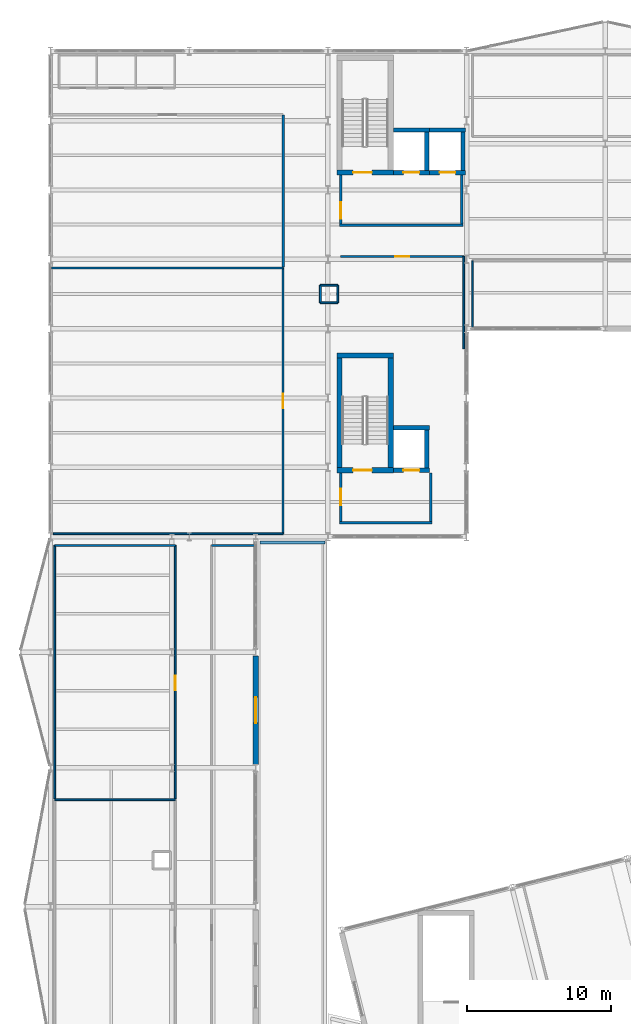
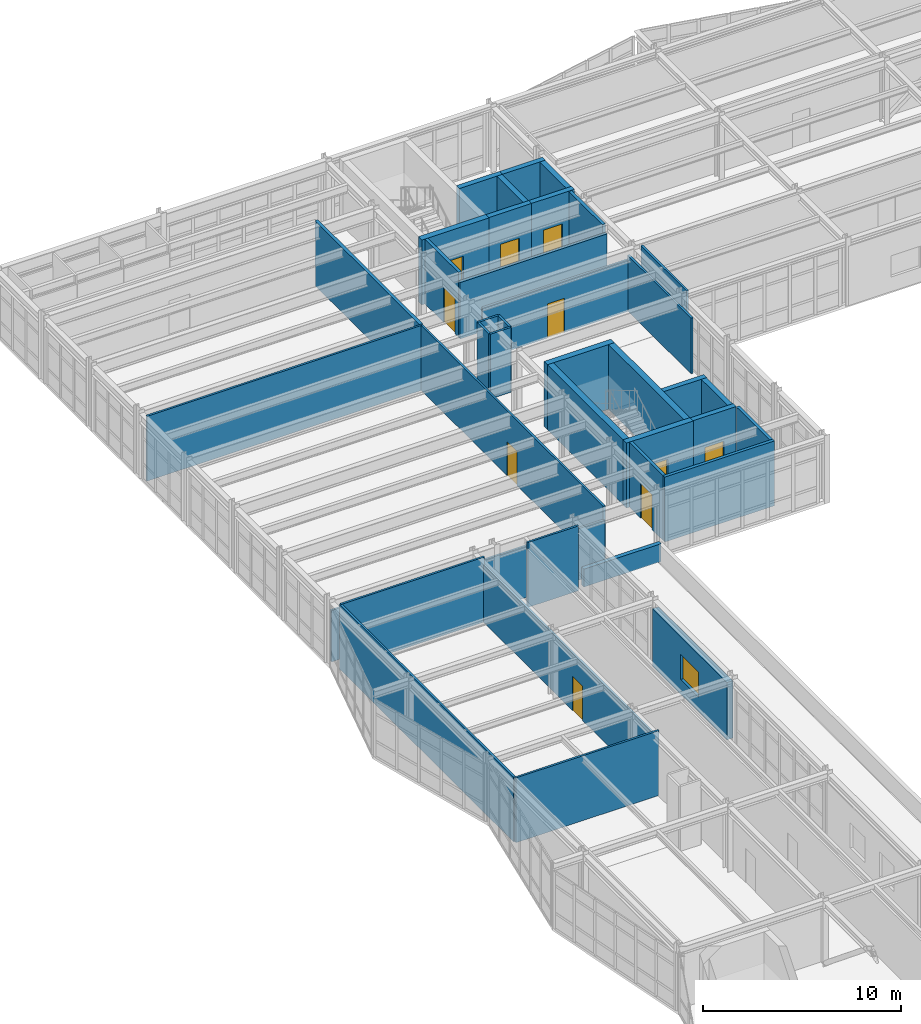
# One storey, part 56 of 64: 38 walls, 10 doors, 1 window, 11 openings.
"""IFC4 building model written with IfcOpenShell, lengths in metres."""

import ifcopenshell
import ifcopenshell.guid

model = None  # the IFC model being written
_history = None  # IfcOwnerHistory: only IFC2X3 demands one
_inside = {}  # id of a spatial element -> (the spatial element, [elements in it])
_under = {}  # id of a project, library or spatial element -> (it, [spatial elements below it])
_declared = {}  # id of a project -> (the project, [libraries it declares])
_typed = {}  # id of a type object -> (the type object, [elements of that type])
_made_of = {}  # id of a material, layer set ... -> (it, [elements and type objects made of it])


def new_model(schema):
    """Start an empty IFC model of exactly this schema.

    Asked for "IFC4X3", IfcOpenShell would pick the latest addendum, in which some entities
    have other attributes; the version numbers below select the first issue.
    IFC2X3 requires an IfcOwnerHistory on every rooted entity: one is made here for all.
    """
    global model, _history
    if schema == "IFC4X3":
        model = ifcopenshell.file(schema_version=(4, 3, 0, 0))
    else:
        model = ifcopenshell.file(schema=schema)
    _inside.clear()
    _under.clear()
    _declared.clear()
    _typed.clear()
    _made_of.clear()
    _history = None
    if model.schema == "IFC2X3":
        org = make("IfcOrganization", Name="unknown")
        user = make(
            "IfcPersonAndOrganization",
            ThePerson=make("IfcPerson", FamilyName="unknown"),
            TheOrganization=org,
        )
        app = make(
            "IfcApplication",
            ApplicationDeveloper=org,
            Version="unknown",
            ApplicationFullName="unknown",
            ApplicationIdentifier="unknown",
        )
        _history = make(
            "IfcOwnerHistory",
            OwningUser=user,
            OwningApplication=app,
            ChangeAction="ADDED",
            CreationDate=0,
        )
    return model


def make(cls, **values):
    """One entity of the class cls with the attributes given. An attribute that is None is left unset."""
    return model.create_entity(
        cls, **{name: value for name, value in values.items() if value is not None}
    )


def rooted(cls, **values):
    """An entity with a GlobalId (a new one), such as an element, a storey or a relation."""
    return make(cls, GlobalId=ifcopenshell.guid.new(), OwnerHistory=_history, **values)


def si_unit(unit_type, name, prefix=None):
    """IfcSIUnit, for example si_unit("LENGTHUNIT", "METRE", prefix="MILLI")."""
    return make("IfcSIUnit", UnitType=unit_type, Prefix=prefix, Name=name)


def assignment(units):
    """IfcUnitAssignment: the units of a project."""
    return None if units is None else make("IfcUnitAssignment", Units=units)


def point(xyz):
    """IfcCartesianPoint."""
    return None if xyz is None else make("IfcCartesianPoint", Coordinates=xyz)


def direction(xyz):
    """IfcDirection."""
    return None if xyz is None else make("IfcDirection", DirectionRatios=xyz)


def frame(location, z_axis=None, x_axis=None):
    """IfcAxis2Placement3D, a coordinate frame: its origin and axes. An axis left out is left unset."""
    return make(
        "IfcAxis2Placement3D",
        Location=point(location),
        Axis=direction(z_axis),
        RefDirection=direction(x_axis),
    )


def frame_2d(location, x_axis=None):
    """IfcAxis2Placement2D, a coordinate frame in the plane: its origin and x axis."""
    return make(
        "IfcAxis2Placement2D", Location=point(location), RefDirection=direction(x_axis)
    )


def origin():
    """The frame at (0, 0, 0) with its axes left unset."""
    return frame((0.0, 0.0, 0.0))


def place(relative_to, where):
    """IfcLocalPlacement: puts the frame where relative to a parent placement (None: the world)."""
    return make(
        "IfcLocalPlacement", PlacementRelTo=relative_to, RelativePlacement=where
    )


def context(
    kind, dimensions, precision=None, world=None, true_north=None, identifier=None
):
    """IfcGeometricRepresentationContext, for example the 3D "Model" context."""
    return make(
        "IfcGeometricRepresentationContext",
        ContextIdentifier=identifier,
        ContextType=kind,
        CoordinateSpaceDimension=dimensions,
        Precision=precision,
        WorldCoordinateSystem=world,
        TrueNorth=true_north,
    )


def subcontext(parent, identifier, kind, view, scale=None):
    """IfcGeometricRepresentationSubContext, for example "Body" below "Model"."""
    return make(
        "IfcGeometricRepresentationSubContext",
        ContextIdentifier=identifier,
        ContextType=kind,
        ParentContext=parent,
        TargetScale=scale,
        TargetView=view,
    )


def project(units=None, contexts=None):
    """IfcProject with its units and contexts."""
    return rooted(
        "IfcProject",
        Name="project",
        RepresentationContexts=contexts,
        UnitsInContext=assignment(units),
    )


def spatial(cls, under=None, at=None, **own):
    """A site, building, storey or space (cls), placed at a placement, below another one or the project."""
    s = rooted(cls, ObjectPlacement=at, **own)
    if under is not None:
        _under.setdefault(under.id(), (under, []))[1].append(s)
    return s


def profile(cls, at=None, kind="AREA", **sizes):
    """A parametric profile (cls). Its sizes go by their IFC names, for example OverallWidth=200.0."""
    return make(cls, ProfileType=kind, Position=at, **sizes)


def rectangle(**sizes):
    """IfcRectangleProfileDef."""
    return profile("IfcRectangleProfileDef", **sizes)


def extrude(swept, where, along, depth):
    """IfcExtrudedAreaSolid: the profile swept, set in the frame where, extruded along a direction by depth."""
    return make(
        "IfcExtrudedAreaSolid",
        SweptArea=swept,
        Position=where,
        ExtrudedDirection=direction(along),
        Depth=depth,
    )


def shape(context_of_items, identifier, shape_type, items):
    """IfcShapeRepresentation: the items that make up one representation, for example the "Body"."""
    return make(
        "IfcShapeRepresentation",
        ContextOfItems=context_of_items,
        RepresentationIdentifier=identifier,
        RepresentationType=shape_type,
        Items=items,
    )


def material(Name=None, Category=None):
    """IfcMaterial."""
    return make("IfcMaterial", Name=Name, Category=Category)


def layer(
    of_material, thickness, ventilated=None, Name=None, Category=None, Priority=None
):
    """IfcMaterialLayer: one layer of a wall or slab, of a material (None: an air gap)."""
    return make(
        "IfcMaterialLayer",
        Material=of_material,
        LayerThickness=thickness,
        IsVentilated=ventilated,
        Name=Name,
        Category=Category,
        Priority=Priority,
    )


def layer_set(layers, Name=None):
    """IfcMaterialLayerSet."""
    return make("IfcMaterialLayerSet", MaterialLayers=layers, LayerSetName=Name)


def made_of(thing, what):
    """Note that an element or type object is made of a material, layer set ...; save() writes the relation."""
    if what is not None:
        _made_of.setdefault(what.id(), (what, []))[1].append(thing)
    return thing


def type_object(cls, material=None, **own):
    """A type object (cls), such as IfcWallType, which elements share."""
    return made_of(rooted(cls, **own), material)


def element(
    cls,
    number,
    at=None,
    inside=None,
    cuts=None,
    type_object=None,
    material=None,
    context=None,
    identifier="Body",
    shape_type=None,
    held_by="IfcProductDefinitionShape",
    body=None,
    shapes=None,
    **own,
):
    """One element of the class cls, such as IfcWall. Its Tag is "e" and its number.

    at: its placement. inside: the storey or other place that contains it. cuts: it is an
    opening in that element (IfcRelVoidsElement). A single representation is given by context,
    identifier, shape_type and body (its items); several are given by shapes. held_by: the class
    of the entity that holds the representations. save() writes the other relations.
    """
    e = rooted(cls, Tag="e%d" % number, ObjectPlacement=at, **own)
    if body is not None:
        shapes = [shape(context, identifier, shape_type, body)]
    if shapes is not None:
        e.Representation = make(held_by, Representations=shapes)
    if inside is not None:
        _inside.setdefault(inside.id(), (inside, []))[1].append(e)
    if cuts is not None:
        rooted(
            "IfcRelVoidsElement", RelatingBuildingElement=cuts, RelatedOpeningElement=e
        )
    if type_object is not None:
        _typed.setdefault(type_object.id(), (type_object, []))[1].append(e)
    return made_of(e, material)


def fill(opening, filler):
    """IfcRelFillsElement: the door or window that sits in an opening."""
    return rooted(
        "IfcRelFillsElement",
        RelatingOpeningElement=opening,
        RelatedBuildingElement=filler,
    )


def aggregate(whole, parts):
    """IfcRelAggregates: a whole, such as a stair, and the parts it consists of."""
    return rooted("IfcRelAggregates", RelatingObject=whole, RelatedObjects=parts)


def save(model, path):
    """Write the relations noted so far, then the file.

    IfcRelAggregates (storeys below a building ...), IfcRelContainedInSpatialStructure (elements
    in a storey), IfcRelDefinesByType, IfcRelAssociatesMaterial and IfcRelDeclares: one each for
    every whole, place, type object, material and project.
    """
    for whole, parts in _under.values():
        aggregate(whole, parts)
    for where, things in _inside.values():
        rooted(
            "IfcRelContainedInSpatialStructure",
            RelatedElements=things,
            RelatingStructure=where,
        )
    for kind, things in _typed.values():
        rooted("IfcRelDefinesByType", RelatedObjects=things, RelatingType=kind)
    for what, things in _made_of.values():
        rooted("IfcRelAssociatesMaterial", RelatedObjects=things, RelatingMaterial=what)
    for by, libraries in _declared.values():
        rooted("IfcRelDeclares", RelatingContext=by, RelatedDefinitions=libraries)
    model.write(path)


model = new_model("IFC4")

# Units and contexts
model_context = context("Model", 3, precision=1e-05, world=origin(), true_north=direction((0.0, 1.0)))
body_context = subcontext(model_context, "Body", "Model", "MODEL_VIEW")
ifc_project = project(units=[si_unit("LENGTHUNIT", "METRE"), si_unit("AREAUNIT", "SQUARE_METRE"), si_unit("VOLUMEUNIT", "CUBIC_METRE"), si_unit("PLANEANGLEUNIT", "RADIAN"), si_unit("MASSUNIT", "GRAM", prefix="KILO")], contexts=[model_context])

# Site, building, storey
site_placement = place(None, origin())
site = spatial("IfcSite", under=ifc_project, at=site_placement, CompositionType="ELEMENT")
building_placement = place(site_placement, origin())
building = spatial("IfcBuilding", under=site, at=building_placement, Name="Nordkorset Police Headquarters", CompositionType="ELEMENT")
storey_placement = place(building_placement, frame((0.0, 0.0, 17.85009765625)))
storey = spatial("IfcBuildingStorey", under=building, at=storey_placement, Name="L04", CompositionType="ELEMENT", Elevation=17.85009765625)

# Wall
ifc_material_1 = material(Name="Gypsum board", Category="gypsum")
ifc_layer_1 = layer(ifc_material_1, 0.179931640625, Name="Gypsum board")
ifc_layer_set_1 = layer_set([ifc_layer_1], Name="Gypsum board")
wall_type_1 = type_object("IfcWallType", Name="Wall_Comp_180", PredefinedType="PARTITIONING", material=ifc_layer_set_1)
wall_1_placement = place(storey_placement, frame((20.0, 104.760009765625, 0.0), z_axis=(0.0, 0.0, 1.0), x_axis=(1.0, 0.0, 0.0)))
element("IfcWall", 1, at=wall_1_placement, inside=storey, type_object=wall_type_1, Name="Firefighting Lobby EI 60 Wall K1 L04 S", PredefinedType="PARTITIONING", context=body_context, shape_type="SweptSolid", body=[
    extrude(rectangle(XDim=8.550048828125, YDim=0.179931640625, at=frame_2d((4.27490234375, 0.0))), origin(), (0.0, 0.0, 1.0), 3.469970703125),
])

# Wall, opening, door
wall_2_placement = place(storey_placement, frame((20.090087890625, 104.85009765625, 0.0), z_axis=(0.0, 0.0, 1.0), x_axis=(0.0, 1.0, 0.0)))
wall_2 = element("IfcWall", 2, at=wall_2_placement, inside=storey, type_object=wall_type_1, Name="Firefighting Lobby EI 60 Wall K1 L04 W", PredefinedType="PARTITIONING", context=body_context, shape_type="SweptSolid", body=[
    extrude(rectangle(XDim=3.375, YDim=0.179931640625, at=frame_2d((1.6875, 0.0))), origin(), (0.0, 0.0, 1.0), 3.989990234375),
])
opening_1_placement = place(wall_2_placement, frame((0.35009765625, 0.0, 0.0)))
opening_1 = element("IfcOpeningElement", 3, at=opening_1_placement, cuts=wall_2, Name="Opening DR-01", PredefinedType="OPENING", context=body_context, shape_type="SweptSolid", body=[
    extrude(rectangle(XDim=1.14990234375, YDim=2.14990234375, at=frame_2d((0.574951171875, 1.074951171875))), frame((0.0, 0.10009765625, 0.0), z_axis=(0.0, -1.0, 0.0), x_axis=(1.0, 0.0, 0.0)), (0.0, 0.0, 1.0), 0.199951171875),
])
ifc_material_2 = material(Name="Steel S355J2", Category="steel")
door_type_1 = type_object("IfcDoorType", Name="Door_LobbySingle_1150x2150", OperationType="NOTDEFINED", PredefinedType="DOOR", material=ifc_material_2)
door_1_placement = place(opening_1_placement, origin())
door_1 = element("IfcDoor", 4, at=door_1_placement, inside=storey, type_object=door_type_1, Name="Firefighting Lobby Smoke Door K1 L04 W", OperationType="SINGLE_SWING_LEFT", OverallHeight=2.14990234375, OverallWidth=1.14990234375, PredefinedType="DOOR", context=body_context, shape_type="SweptSolid", body=[
    extrude(rectangle(XDim=1.14990234375, YDim=2.14990234375, at=frame_2d((0.574951171875, 1.074951171875))), frame((0.0, 0.02490234375, 0.0), z_axis=(0.0, -1.0, 0.0), x_axis=(1.0, 0.0, 0.0)), (0.0, 0.0, 1.0), 0.050048828125),
])
fill(opening_1, door_1)

# Walls
wall_3_placement = place(storey_placement, frame((28.4599609375, 104.85009765625, 0.0), z_axis=(0.0, 0.0, 1.0), x_axis=(0.0, 1.0, 0.0)))
element("IfcWall", 5, at=wall_3_placement, inside=storey, type_object=wall_type_1, Name="Firefighting Lobby EI 60 Wall K1 L04 E", PredefinedType="PARTITIONING", context=body_context, shape_type="SweptSolid", body=[
    extrude(rectangle(XDim=3.375, YDim=0.179931640625, at=frame_2d((1.6875, 0.0))), origin(), (0.0, 0.0, 1.0), 3.989990234375),
])
wall_4_placement = place(storey_placement, frame((20.0, 84.159912109375, 0.0), z_axis=(0.0, 0.0, 1.0), x_axis=(1.0, 0.0, 0.0)))
element("IfcWall", 6, at=wall_4_placement, inside=storey, type_object=wall_type_1, Name="Firefighting Lobby EI 60 Wall K3 L04 S", PredefinedType="PARTITIONING", context=body_context, shape_type="SweptSolid", body=[
    extrude(rectangle(XDim=6.39990234375, YDim=0.179931640625, at=frame_2d((3.199951171875, 0.0))), origin(), (0.0, 0.0, 1.0), 3.989990234375),
])

# Wall, opening, door
wall_5_placement = place(storey_placement, frame((20.090087890625, 84.25, 0.0), z_axis=(0.0, 0.0, 1.0), x_axis=(0.0, 1.0, 0.0)))
wall_5 = element("IfcWall", 7, at=wall_5_placement, inside=storey, type_object=wall_type_1, Name="Firefighting Lobby EI 60 Wall K3 L04 W", PredefinedType="PARTITIONING", context=body_context, shape_type="SweptSolid", body=[
    extrude(rectangle(XDim=3.375, YDim=0.179931640625, at=frame_2d((1.6875, 0.0))), origin(), (0.0, 0.0, 1.0), 3.989990234375),
])
opening_2_placement = place(wall_5_placement, frame((1.112548828125, 0.0, 0.0)))
opening_2 = element("IfcOpeningElement", 8, at=opening_2_placement, cuts=wall_5, Name="Opening DR-01", PredefinedType="OPENING", context=body_context, shape_type="SweptSolid", body=[
    extrude(rectangle(XDim=1.14990234375, YDim=2.14990234375, at=frame_2d((0.574951171875, 1.074951171875))), frame((0.0, 0.10009765625, 0.0), z_axis=(0.0, -1.0, 0.0), x_axis=(1.0, 0.0, 0.0)), (0.0, 0.0, 1.0), 0.199951171875),
])
door_2_placement = place(opening_2_placement, origin())
door_2 = element("IfcDoor", 9, at=door_2_placement, inside=storey, type_object=door_type_1, Name="Firefighting Lobby Smoke Door K3 L04 W", OperationType="SINGLE_SWING_RIGHT", OverallHeight=2.14990234375, OverallWidth=1.14990234375, PredefinedType="DOOR", context=body_context, shape_type="SweptSolid", body=[
    extrude(rectangle(XDim=1.14990234375, YDim=2.14990234375, at=frame_2d((0.574951171875, 1.074951171875))), frame((0.0, 0.02490234375, 0.0), z_axis=(0.0, -1.0, 0.0), x_axis=(1.0, 0.0, 0.0)), (0.0, 0.0, 1.0), 0.050048828125),
])
fill(opening_2, door_2)

# Walls
wall_6_placement = place(storey_placement, frame((26.31005859375, 84.25, 0.0), z_axis=(0.0, 0.0, 1.0), x_axis=(0.0, 1.0, 0.0)))
element("IfcWall", 10, at=wall_6_placement, inside=storey, type_object=wall_type_1, Name="Firefighting Lobby EI 60 Wall K3 L04 E", PredefinedType="PARTITIONING", context=body_context, shape_type="SweptSolid", body=[
    extrude(rectangle(XDim=3.375, YDim=0.179931640625, at=frame_2d((1.6875, 0.0))), origin(), (0.0, 0.0, 1.0), 3.989990234375),
])
wall_7_placement = place(storey_placement, frame((16.10009765625, 101.85498046875, 0.0), z_axis=(0.0, 0.0, 1.0), x_axis=(0.0, 1.0, 0.0)))
element("IfcWall", 11, at=wall_7_placement, inside=storey, type_object=wall_type_1, Name="Interior Partition Wall Secure Intelligence Briefing Room", PredefinedType="PARTITIONING", context=body_context, shape_type="SweptSolid", body=[
    extrude(rectangle(XDim=10.544921875, YDim=0.179931640625, at=frame_2d((5.2724609375, 0.0))), origin(), (0.0, 0.0, 1.0), 3.989990234375),
])

# Wall, opening, door
ifc_material_3 = material(Name="Concrete C35/45", Category="concrete")
ifc_layer_2 = layer(ifc_material_3, 0.35009765625, Name="Concrete C35/45")
ifc_layer_set_2 = layer_set([ifc_layer_2], Name="Concrete C35/45")
wall_type_2 = type_object("IfcWallType", Name="Wall_CoreShear_350", PredefinedType="SHEAR", material=ifc_layer_set_2)
wall_8_placement = place(storey_placement, frame((19.824951171875, 108.39990234375, 0.0), z_axis=(0.0, 0.0, 1.0), x_axis=(1.0, 0.0, 0.0)))
wall_8 = element("IfcWall", 12, at=wall_8_placement, inside=storey, type_object=wall_type_2, Name="Core K1 Stair Shaft South Shear Wall L04", PredefinedType="SHEAR", context=body_context, shape_type="SweptSolid", body=[
    extrude(rectangle(XDim=3.900146484375, YDim=0.35009765625, at=frame_2d((1.9501953125, 0.0))), origin(), (0.0, 0.0, 1.0), 3.989990234375),
])
opening_3_placement = place(wall_8_placement, frame((1.125, 0.0, 0.0)))
opening_3 = element("IfcOpeningElement", 13, at=opening_3_placement, cuts=wall_8, Name="Opening DR-20", PredefinedType="OPENING", context=body_context, shape_type="SweptSolid", body=[
    extrude(rectangle(XDim=1.300048828125, YDim=2.14990234375, at=frame_2d((0.64990234375, 1.074951171875))), frame((0.0, 0.18505859375, 0.0), z_axis=(0.0, -1.0, 0.0), x_axis=(1.0, 0.0, 0.0)), (0.0, 0.0, 1.0), 0.3701171875),
])
ifc_material_4 = material(Name="Steel S355J2", Category="steel")
door_type_2 = type_object("IfcDoorType", Name="Door_Stair_1300x2150", OperationType="NOTDEFINED", PredefinedType="DOOR", material=ifc_material_4)
door_3_placement = place(opening_3_placement, frame((1.300048828125, 0.0, 0.0), z_axis=(0.0, 0.0, 1.0), x_axis=(-1.0, 0.0, 0.0)))
door_3 = element("IfcDoor", 14, at=door_3_placement, inside=storey, type_object=door_type_2, Name="Protected Stair Fire Door ST-01 L04", OperationType="SINGLE_SWING_LEFT", OverallHeight=2.14990234375, OverallWidth=1.300048828125, PredefinedType="DOOR", context=body_context, shape_type="SweptSolid", body=[
    extrude(rectangle(XDim=1.300048828125, YDim=2.14990234375, at=frame_2d((0.64990234375, 1.074951171875))), frame((0.0, 0.02490234375, 0.0), z_axis=(0.0, -1.0, 0.0), x_axis=(1.0, 0.0, 0.0)), (0.0, 0.0, 1.0), 0.050048828125),
])
fill(opening_3, door_3)

wall_9_placement = place(storey_placement, frame((19.824951171875, 87.800048828125, 0.0), z_axis=(0.0, 0.0, 1.0), x_axis=(1.0, 0.0, 0.0)))
wall_9 = element("IfcWall", 15, at=wall_9_placement, inside=storey, type_object=wall_type_2, Name="Core K3 Stair Shaft South Shear Wall L04", PredefinedType="SHEAR", context=body_context, shape_type="SweptSolid", body=[
    extrude(rectangle(XDim=3.900146484375, YDim=0.35009765625, at=frame_2d((1.9501953125, 0.0))), origin(), (0.0, 0.0, 1.0), 3.989990234375),
])
opening_4_placement = place(wall_9_placement, frame((1.125, 0.0, 0.0)))
opening_4 = element("IfcOpeningElement", 16, at=opening_4_placement, cuts=wall_9, Name="Opening DR-20", PredefinedType="OPENING", context=body_context, shape_type="SweptSolid", body=[
    extrude(rectangle(XDim=1.300048828125, YDim=2.14990234375, at=frame_2d((0.64990234375, 1.074951171875))), frame((0.0, 0.18505859375, 0.0), z_axis=(0.0, -1.0, 0.0), x_axis=(1.0, 0.0, 0.0)), (0.0, 0.0, 1.0), 0.3701171875),
])
door_4_placement = place(opening_4_placement, frame((1.300048828125, 0.0, 0.0), z_axis=(0.0, 0.0, 1.0), x_axis=(-1.0, 0.0, 0.0)))
door_4 = element("IfcDoor", 17, at=door_4_placement, inside=storey, type_object=door_type_2, Name="Protected Stair Fire Door ST-03 L04", OperationType="SINGLE_SWING_LEFT", OverallHeight=2.14990234375, OverallWidth=1.300048828125, PredefinedType="DOOR", context=body_context, shape_type="SweptSolid", body=[
    extrude(rectangle(XDim=1.300048828125, YDim=2.14990234375, at=frame_2d((0.64990234375, 1.074951171875))), frame((0.0, 0.02490234375, 0.0), z_axis=(0.0, -1.0, 0.0), x_axis=(1.0, 0.0, 0.0)), (0.0, 0.0, 1.0), 0.050048828125),
])
fill(opening_4, door_4)

# Walls
wall_10_placement = place(storey_placement, frame((19.824951171875, 95.75, 0.0), z_axis=(0.0, 0.0, 1.0), x_axis=(1.0, 0.0, 0.0)))
element("IfcWall", 18, at=wall_10_placement, inside=storey, type_object=wall_type_2, Name="Core K3 Stair Shaft North Shear Wall L04", PredefinedType="SHEAR", context=body_context, shape_type="SweptSolid", body=[
    extrude(rectangle(XDim=3.900146484375, YDim=0.35009765625, at=frame_2d((1.9501953125, 0.0))), origin(), (0.0, 0.0, 1.0), 3.989990234375),
])
for number, where, z_axis, x_axis, name in (
    (19, (20.0, 87.97509765625, 0.0), (0.0, 0.0, 1.0), (0.0, 1.0, 0.0), "Core K3 Stair Shaft West Shear Wall L04"),
    (20, (23.550048828125, 87.97509765625, 0.0), (0.0, 0.0, 1.0), (0.0, 1.0, 0.0), "Core K3 Stair Shaft East Shear Wall L04"),
):
    element("IfcWall", number, at=place(storey_placement, frame(where, z_axis=z_axis, x_axis=x_axis)), inside=storey, type_object=wall_type_2, Name=name, PredefinedType="SHEAR", context=body_context, shape_type="SweptSolid", body=[
        extrude(rectangle(XDim=7.599853515625, YDim=0.35009765625, at=frame_2d((3.7998046875, 0.0))), origin(), (0.0, 0.0, 1.0), 3.989990234375),
    ])

# Wall, opening, window
ifc_material_5 = material(Name="Precast concrete C40/50", Category="concrete")
ifc_layer_3 = layer(ifc_material_5, 0.360107421875, Name="Precast concrete C40/50")
ifc_layer_set_3 = layer_set([ifc_layer_3], Name="Precast concrete C40/50")
wall_type_3 = type_object("IfcWallType", Name="Wall_ExtPrecast_360", PredefinedType="SOLIDWALL", material=ifc_layer_set_3)
wall_11_placement = place(storey_placement, frame((14.199951171875, 67.451904296875, 0.0), z_axis=(0.0, 0.0, 1.0), x_axis=(0.0, 1.0, 0.0)))
wall_11 = element("IfcWall", 21, at=wall_11_placement, inside=storey, type_object=wall_type_3, Name="Exterior Insulated Precast Wall L04 V3E-4", PredefinedType="SOLIDWALL", context=body_context, shape_type="SweptSolid", body=[
    extrude(rectangle(XDim=7.49609375, YDim=0.360107421875, at=frame_2d((3.748046875, 0.0))), origin(), (0.0, 0.0, 1.0), 3.52978515625),
])
opening_5_placement = place(wall_11_placement, frame((2.847900390625, 0.0, 0.89990234375)))
opening_5 = element("IfcOpeningElement", 22, at=opening_5_placement, cuts=wall_11, Name="Opening WN-26", PredefinedType="OPENING", context=body_context, shape_type="SweptSolid", body=[
    extrude(rectangle(XDim=1.800048828125, YDim=1.550048828125, at=frame_2d((0.89990234375, 0.77490234375))), frame((0.0, 0.18994140625, 0.0), z_axis=(0.0, -1.0, 0.0), x_axis=(1.0, 0.0, 0.0)), (0.0, 0.0, 1.0), 0.380126953125),
])
ifc_material_6 = material(Name="Low-iron triple glazing", Category="glass")
window_type = type_object("IfcWindowType", Name="Win_1800x1550", PartitioningType="SINGLE_PANEL", PredefinedType="WINDOW", material=ifc_material_6)
window_placement = place(opening_5_placement, origin())
window = element("IfcWindow", 23, at=window_placement, inside=storey, type_object=window_type, Name="Triple-Glazed Exterior Window L04 V3E-4-1", OverallHeight=1.550048828125, OverallWidth=1.800048828125, PartitioningType="SINGLE_PANEL", PredefinedType="WINDOW", context=body_context, shape_type="SweptSolid", body=[
    extrude(rectangle(XDim=1.800048828125, YDim=1.550048828125, at=frame_2d((0.89990234375, 0.77490234375))), frame((0.0, 0.030029296875, 0.0), z_axis=(0.0, -1.0, 0.0), x_axis=(1.0, 0.0, 0.0)), (0.0, 0.0, 1.0), 0.06005859375),
])
fill(opening_5, window)

# Walls
ifc_material_7 = material(Name="Precast concrete C40/50", Category="concrete")
ifc_layer_4 = layer(ifc_material_7, 0.239990234375, Name="Precast concrete C40/50")
ifc_layer_set_4 = layer_set([ifc_layer_4], Name="Precast concrete C40/50")
wall_type_4 = type_object("IfcWallType", Name="Wall_Parapet_240", PredefinedType="PARAPET", material=ifc_layer_set_4)
wall_12_placement = place(storey_placement, frame((19.0, 82.800048828125, 0.0), z_axis=(0.0, 0.0, 1.0), x_axis=(-1.0, 0.0, 0.0)))
element("IfcWall", 24, at=wall_12_placement, inside=storey, type_object=wall_type_4, Name="Flat Roof Parapet Wall V3SET-L04-3", PredefinedType="PARAPET", context=body_context, shape_type="SweptSolid", body=[
    extrude(rectangle(XDim=4.5, YDim=0.239990234375, at=frame_2d((2.25, 0.0))), origin(), (0.0, 0.0, 1.0), 1.099853515625),
])
ifc_material_8 = material(Name="Gypsum board", Category="gypsum")
ifc_layer_5 = layer(ifc_material_8, 0.1201171875, Name="Gypsum board")
ifc_layer_set_5 = layer_set([ifc_layer_5], Name="Gypsum board")
wall_type_5 = type_object("IfcWallType", Name="Wall_Part_120", PredefinedType="PARTITIONING", material=ifc_layer_set_5)
wall_13_placement = place(storey_placement, frame((0.199951171875, 83.39990234375, 0.0), z_axis=(0.0, 0.0, 1.0), x_axis=(1.0, 0.0, 0.0)))
element("IfcWall", 25, at=wall_13_placement, inside=storey, type_object=wall_type_5, Name="Interior Partition Wall Criminal Intelligence Analysis Centre", PredefinedType="PARTITIONING", context=body_context, shape_type="SweptSolid", body=[
    extrude(rectangle(XDim=15.900146484375, YDim=0.1201171875, at=frame_2d((7.9501953125, 0.0))), origin(), (0.0, 0.0, 1.0), 3.164794921875),
])

# Wall, opening, door
wall_14_placement = place(storey_placement, frame((16.10009765625, 83.39990234375, 0.0), z_axis=(0.0, 0.0, 1.0), x_axis=(0.0, 1.0, 0.0)))
wall_14 = element("IfcWall", 26, at=wall_14_placement, inside=storey, type_object=wall_type_5, Name="Interior Partition Wall Criminal Intelligence Analysis Centre", PredefinedType="PARTITIONING", context=body_context, shape_type="SweptSolid", body=[
    extrude(rectangle(XDim=18.400146484375, YDim=0.1201171875, at=frame_2d((9.2001953125, 0.0))), origin(), (0.0, 0.0, 1.0), 3.989990234375),
])
opening_6_placement = place(wall_14_placement, frame((8.68994140625, 0.0, 0.0)))
opening_6 = element("IfcOpeningElement", 27, at=opening_6_placement, cuts=wall_14, Name="Opening DR-19", PredefinedType="OPENING", context=body_context, shape_type="SweptSolid", body=[
    extrude(rectangle(XDim=1.02001953125, YDim=2.10009765625, at=frame_2d((0.510009765625, 1.050048828125))), frame((0.0, 0.070068359375, 0.0), z_axis=(0.0, -1.0, 0.0), x_axis=(1.0, 0.0, 0.0)), (0.0, 0.0, 1.0), 0.14013671875),
])
ifc_material_9 = material(Name="Glulam GL30c", Category="wood")
door_type_3 = type_object("IfcDoorType", Name="Door_Office_1020x2100", OperationType="NOTDEFINED", PredefinedType="DOOR", material=ifc_material_9)
door_5_placement = place(opening_6_placement, origin())
door_5 = element("IfcDoor", 28, at=door_5_placement, inside=storey, type_object=door_type_3, Name="Interior Door Criminal Intelligence Analysis Centre", OperationType="SINGLE_SWING_LEFT", OverallHeight=2.10009765625, OverallWidth=1.02001953125, PredefinedType="DOOR", context=body_context, shape_type="SweptSolid", body=[
    extrude(rectangle(XDim=1.02001953125, YDim=2.10009765625, at=frame_2d((0.510009765625, 1.050048828125))), frame((0.0, 0.02490234375, 0.0), z_axis=(0.0, -1.0, 0.0), x_axis=(1.0, 0.0, 0.0)), (0.0, 0.0, 1.0), 0.050048828125),
])
fill(opening_6, door_5)

# Walls
wall_15_placement = place(storey_placement, frame((16.10009765625, 101.800048828125, 0.0), z_axis=(0.0, 0.0, 1.0), x_axis=(-1.0, 0.0, 0.0)))
element("IfcWall", 29, at=wall_15_placement, inside=storey, type_object=wall_type_5, Name="Interior Partition Wall Criminal Intelligence Analysis Centre", PredefinedType="PARTITIONING", context=body_context, shape_type="SweptSolid", body=[
    extrude(rectangle(XDim=16.01513671875, YDim=0.1201171875, at=frame_2d((8.007568359375, 0.0))), origin(), (0.0, 0.0, 1.0), 3.989990234375),
])
wall_16_placement = place(storey_placement, frame((28.60009765625, 96.199951171875, 0.0), z_axis=(0.0, 0.0, 1.0), x_axis=(0.0, 1.0, 0.0)))
element("IfcWall", 30, at=wall_16_placement, inside=storey, type_object=wall_type_5, Name="Interior Partition Wall Open-Source Intelligence Desk", PredefinedType="PARTITIONING", context=body_context, shape_type="SweptSolid", body=[
    extrude(rectangle(XDim=6.400146484375, YDim=0.1201171875, at=frame_2d((3.2001953125, 0.0))), origin(), (0.0, 0.0, 1.0), 3.4248046875),
])

# Wall, opening, door
wall_17_placement = place(storey_placement, frame((28.60009765625, 102.60009765625, 0.0), z_axis=(0.0, 0.0, 1.0), x_axis=(-1.0, 0.0, 0.0)))
wall_17 = element("IfcWall", 31, at=wall_17_placement, inside=storey, type_object=wall_type_5, Name="Interior Partition Wall Open-Source Intelligence Desk", PredefinedType="PARTITIONING", context=body_context, shape_type="SweptSolid", body=[
    extrude(rectangle(XDim=8.52001953125, YDim=0.1201171875, at=frame_2d((4.260009765625, 0.0))), origin(), (0.0, 0.0, 1.0), 3.164794921875),
])
opening_7_placement = place(wall_17_placement, frame((3.77001953125, 0.0, 0.0)))
opening_7 = element("IfcOpeningElement", 32, at=opening_7_placement, cuts=wall_17, Name="Opening DR-18", PredefinedType="OPENING", context=body_context, shape_type="SweptSolid", body=[
    extrude(rectangle(XDim=0.97998046875, YDim=2.10009765625, at=frame_2d((0.489990234375, 1.050048828125))), frame((0.0, 0.070068359375, 0.0), z_axis=(0.0, -1.0, 0.0), x_axis=(1.0, 0.0, 0.0)), (0.0, 0.0, 1.0), 0.14013671875),
])
ifc_material_10 = material(Name="Glulam GL30c", Category="wood")
door_type_4 = type_object("IfcDoorType", Name="Door_Office_980x2100", OperationType="NOTDEFINED", PredefinedType="DOOR", material=ifc_material_10)
door_6_placement = place(opening_7_placement, frame((0.97998046875, 0.0, 0.0), z_axis=(0.0, 0.0, 1.0), x_axis=(-1.0, 0.0, 0.0)))
door_6 = element("IfcDoor", 33, at=door_6_placement, inside=storey, type_object=door_type_4, Name="Interior Door Open-Source Intelligence Desk", OperationType="SINGLE_SWING_RIGHT", OverallHeight=2.10009765625, OverallWidth=0.97998046875, PredefinedType="DOOR", context=body_context, shape_type="SweptSolid", body=[
    extrude(rectangle(XDim=0.97998046875, YDim=2.10009765625, at=frame_2d((0.489990234375, 1.050048828125))), frame((0.0, 0.02490234375, 0.0), z_axis=(0.0, -1.0, 0.0), x_axis=(1.0, 0.0, 0.0)), (0.0, 0.0, 1.0), 0.050048828125),
])
fill(opening_7, door_6)

# Walls
wall_18_placement = place(storey_placement, frame((29.199951171875, 102.300048828125, 0.0), z_axis=(0.0, 0.0, 1.0), x_axis=(0.0, -1.0, 0.0)))
element("IfcWall", 34, at=wall_18_placement, inside=storey, type_object=wall_type_5, Name="Interior Partition Wall Strategic Crime Mapping Studio", PredefinedType="PARTITIONING", context=body_context, shape_type="SweptSolid", body=[
    extrude(rectangle(XDim=4.614990234375, YDim=0.1201171875, at=frame_2d((2.3076171875, 0.0))), origin(), (0.0, 0.0, 1.0), 3.989990234375),
])
wall_19_placement = place(storey_placement, frame((8.639892578125, 65.0, 0.0), z_axis=(0.0, 0.0, 1.0), x_axis=(-1.0, 0.0, 0.0)))
element("IfcWall", 35, at=wall_19_placement, inside=storey, type_object=wall_type_5, Name="Interior Partition Wall Forensic Quality Assurance Office", PredefinedType="PARTITIONING", context=body_context, shape_type="SweptSolid", body=[
    extrude(rectangle(XDim=8.33984375, YDim=0.1201171875, at=frame_2d((4.169921875, 0.0))), origin(), (0.0, 0.0, 1.0), 3.989990234375),
])

# Wall, opening, door
wall_20_placement = place(storey_placement, frame((8.639892578125, 65.054931640625, 0.0), z_axis=(0.0, 0.0, 1.0), x_axis=(0.0, 1.0, 0.0)))
wall_20 = element("IfcWall", 36, at=wall_20_placement, inside=storey, type_object=wall_type_5, Name="Interior Partition Wall Toxicology Case Reporting Suite", PredefinedType="PARTITIONING", context=body_context, shape_type="SweptSolid", body=[
    extrude(rectangle(XDim=17.545166015625, YDim=0.1201171875, at=frame_2d((8.7724609375, 0.0))), origin(), (0.0, 0.0, 1.0), 3.52490234375),
])
opening_8_placement = place(wall_20_placement, frame((7.532470703125, 0.0, 0.0)))
opening_8 = element("IfcOpeningElement", 37, at=opening_8_placement, cuts=wall_20, Name="Opening DR-18", PredefinedType="OPENING", context=body_context, shape_type="SweptSolid", body=[
    extrude(rectangle(XDim=0.97998046875, YDim=2.10009765625, at=frame_2d((0.489990234375, 1.050048828125))), frame((0.0, 0.070068359375, 0.0), z_axis=(0.0, -1.0, 0.0), x_axis=(1.0, 0.0, 0.0)), (0.0, 0.0, 1.0), 0.14013671875),
])
door_7_placement = place(opening_8_placement, frame((0.97998046875, 0.0, 0.0), z_axis=(0.0, 0.0, 1.0), x_axis=(-1.0, 0.0, 0.0)))
door_7 = element("IfcDoor", 38, at=door_7_placement, inside=storey, type_object=door_type_4, Name="Interior Door Toxicology Case Reporting Suite", OperationType="SINGLE_SWING_RIGHT", OverallHeight=2.10009765625, OverallWidth=0.97998046875, PredefinedType="DOOR", context=body_context, shape_type="SweptSolid", body=[
    extrude(rectangle(XDim=0.97998046875, YDim=2.10009765625, at=frame_2d((0.489990234375, 1.050048828125))), frame((0.0, 0.02490234375, 0.0), z_axis=(0.0, -1.0, 0.0), x_axis=(1.0, 0.0, 0.0)), (0.0, 0.0, 1.0), 0.050048828125),
])
fill(opening_8, door_7)

# Walls
wall_21_placement = place(storey_placement, frame((8.639892578125, 82.60009765625, 0.0), z_axis=(0.0, 0.0, 1.0), x_axis=(-1.0, 0.0, 0.0)))
element("IfcWall", 39, at=wall_21_placement, inside=storey, type_object=wall_type_5, Name="Interior Partition Wall Toxicology Case Reporting Suite", PredefinedType="PARTITIONING", context=body_context, shape_type="SweptSolid", body=[
    extrude(rectangle(XDim=8.33984375, YDim=0.1201171875, at=frame_2d((4.169921875, 0.0))), origin(), (0.0, 0.0, 1.0), 3.989990234375),
])
wall_22_placement = place(storey_placement, frame((0.300048828125, 82.60009765625, 0.0), z_axis=(0.0, 0.0, 1.0), x_axis=(0.0, -1.0, 0.0)))
element("IfcWall", 40, at=wall_22_placement, inside=storey, type_object=wall_type_5, Name="Interior Partition Wall Toxicology Case Reporting Suite", PredefinedType="PARTITIONING", context=body_context, shape_type="SweptSolid", body=[
    extrude(rectangle(XDim=17.545166015625, YDim=0.1201171875, at=frame_2d((8.7724609375, 0.0))), origin(), (0.0, 0.0, 1.0), 3.989990234375),
])
wall_23_placement = place(storey_placement, frame((14.114990234375, 82.60009765625, 0.0), z_axis=(0.0, 0.0, 1.0), x_axis=(-1.0, 0.0, 0.0)))
element("IfcWall", 41, at=wall_23_placement, inside=storey, type_object=wall_type_5, Name="Interior Partition Wall Forensic Accreditation Office", PredefinedType="PARTITIONING", context=body_context, shape_type="SweptSolid", body=[
    extrude(rectangle(XDim=2.955078125, YDim=0.1201171875, at=frame_2d((1.4775390625, 0.0))), origin(), (0.0, 0.0, 1.0), 3.989990234375),
])
ifc_material_11 = material(Name="Gypsum board", Category="gypsum")
ifc_layer_6 = layer(ifc_material_11, 0.125, Name="Gypsum board")
ifc_layer_set_6 = layer_set([ifc_layer_6], Name="Gypsum board")
wall_type_6 = type_object("IfcWallType", Name="Wall_Riser_125", PredefinedType="PARTITIONING", material=ifc_layer_set_6)
wall_24_placement = place(storey_placement, frame((18.679931640625, 99.39990234375, 0.0), z_axis=(0.0, 0.0, 1.0), x_axis=(1.0, 0.0, 0.0)))
element("IfcWall", 42, at=wall_24_placement, inside=storey, type_object=wall_type_6, Name="Service Riser Enclosure RSR-V1 L04", PredefinedType="PARTITIONING", context=body_context, shape_type="SweptSolid", body=[
    extrude(rectangle(XDim=1.199951171875, YDim=0.125, at=frame_2d((0.60009765625, 0.0))), origin(), (0.0, 0.0, 1.0), 3.989990234375),
])
wall_25_placement = place(storey_placement, frame((19.8798828125, 99.39990234375, 0.0), z_axis=(0.0, 0.0, 1.0), x_axis=(0.0, 1.0, 0.0)))
element("IfcWall", 43, at=wall_25_placement, inside=storey, type_object=wall_type_6, Name="Service Riser Enclosure RSR-V1 L04", PredefinedType="PARTITIONING", context=body_context, shape_type="SweptSolid", body=[
    extrude(rectangle(XDim=1.2001953125, YDim=0.125, at=frame_2d((0.60009765625, 0.0))), origin(), (0.0, 0.0, 1.0), 3.989990234375),
])
wall_26_placement = place(storey_placement, frame((19.8798828125, 100.60009765625, 0.0), z_axis=(0.0, 0.0, 1.0), x_axis=(-1.0, 0.0, 0.0)))
element("IfcWall", 44, at=wall_26_placement, inside=storey, type_object=wall_type_6, Name="Service Riser Enclosure RSR-V1 L04", PredefinedType="PARTITIONING", context=body_context, shape_type="SweptSolid", body=[
    extrude(rectangle(XDim=1.199951171875, YDim=0.125, at=frame_2d((0.60009765625, 0.0))), origin(), (0.0, 0.0, 1.0), 3.989990234375),
])
wall_27_placement = place(storey_placement, frame((18.679931640625, 100.60009765625, 0.0), z_axis=(0.0, 0.0, 1.0), x_axis=(0.0, -1.0, 0.0)))
element("IfcWall", 45, at=wall_27_placement, inside=storey, type_object=wall_type_6, Name="Service Riser Enclosure RSR-V1 L04", PredefinedType="PARTITIONING", context=body_context, shape_type="SweptSolid", body=[
    extrude(rectangle(XDim=1.2001953125, YDim=0.125, at=frame_2d((0.60009765625, 0.0))), origin(), (0.0, 0.0, 1.0), 3.989990234375),
])

# Wall, opening, door
ifc_material_12 = material(Name="Concrete C35/45", Category="concrete")
ifc_layer_7 = layer(ifc_material_12, 0.300048828125, Name="Concrete C35/45")
ifc_layer_set_7 = layer_set([ifc_layer_7], Name="Concrete C35/45")
wall_type_7 = type_object("IfcWallType", Name="Wall_ShaftShear_300", PredefinedType="SHEAR", material=ifc_layer_set_7)
wall_28_placement = place(storey_placement, frame((23.72509765625, 108.39990234375, 0.0), z_axis=(0.0, 0.0, 1.0), x_axis=(1.0, 0.0, 0.0)))
wall_28 = element("IfcWall", 46, at=wall_28_placement, inside=storey, type_object=wall_type_7, Name="Lift Shaft LF-01 Front Shear Wall L04", PredefinedType="SHEAR", context=body_context, shape_type="SweptSolid", body=[
    extrude(rectangle(XDim=2.5, YDim=0.300048828125, at=frame_2d((1.25, 0.0))), origin(), (0.0, 0.0, 1.0), 3.989990234375),
])
opening_9_placement = place(wall_28_placement, frame((0.699951171875, 0.0, 0.0)))
opening_9 = element("IfcOpeningElement", 47, at=opening_9_placement, cuts=wall_28, Name="Opening LD-01", PredefinedType="OPENING", context=body_context, shape_type="SweptSolid", body=[
    extrude(rectangle(XDim=1.10009765625, YDim=2.10009765625, at=frame_2d((0.550048828125, 1.050048828125))), frame((0.0, 0.16015625, 0.0), z_axis=(0.0, -1.0, 0.0), x_axis=(1.0, 0.0, 0.0)), (0.0, 0.0, 1.0), 0.320068359375),
])
ifc_material_13 = material(Name="Steel S355J2", Category="steel")
door_type_5 = type_object("IfcDoorType", Name="Door_LiftLanding_1100x2100", OperationType="SLIDING_TO_LEFT", PredefinedType="DOOR", material=ifc_material_13)
door_8_placement = place(opening_9_placement, frame((1.10009765625, 0.0, 0.0), z_axis=(0.0, 0.0, 1.0), x_axis=(-1.0, 0.0, 0.0)))
door_8 = element("IfcDoor", 48, at=door_8_placement, inside=storey, type_object=door_type_5, Name="Lift Landing Sliding Door LF-01 L04", OperationType="SLIDING_TO_LEFT", OverallHeight=2.10009765625, OverallWidth=1.10009765625, PredefinedType="DOOR", context=body_context, shape_type="SweptSolid", body=[
    extrude(rectangle(XDim=1.10009765625, YDim=2.10009765625, at=frame_2d((0.550048828125, 1.050048828125))), frame((0.0, 0.02490234375, 0.0), z_axis=(0.0, -1.0, 0.0), x_axis=(1.0, 0.0, 0.0)), (0.0, 0.0, 1.0), 0.050048828125),
])
fill(opening_9, door_8)

# Walls
wall_29_placement = place(storey_placement, frame((23.72509765625, 111.35009765625, 0.0), z_axis=(0.0, 0.0, 1.0), x_axis=(1.0, 0.0, 0.0)))
element("IfcWall", 49, at=wall_29_placement, inside=storey, type_object=wall_type_7, Name="Lift Shaft LF-01 Rear Shear Wall L04", PredefinedType="SHEAR", context=body_context, shape_type="SweptSolid", body=[
    extrude(rectangle(XDim=2.5, YDim=0.300048828125, at=frame_2d((1.25, 0.0))), origin(), (0.0, 0.0, 1.0), 3.989990234375),
])
wall_30_placement = place(storey_placement, frame((26.050048828125, 108.550048828125, 0.0), z_axis=(0.0, 0.0, 1.0), x_axis=(0.0, 1.0, 0.0)))
element("IfcWall", 50, at=wall_30_placement, inside=storey, type_object=wall_type_7, Name="Lift Shaft LF-01 East Shear Wall L04", PredefinedType="SHEAR", context=body_context, shape_type="SweptSolid", body=[
    extrude(rectangle(XDim=2.64990234375, YDim=0.300048828125, at=frame_2d((1.324951171875, 0.0))), origin(), (0.0, 0.0, 1.0), 3.989990234375),
])

# Wall, opening, door
wall_31_placement = place(storey_placement, frame((26.22509765625, 108.39990234375, 0.0), z_axis=(0.0, 0.0, 1.0), x_axis=(1.0, 0.0, 0.0)))
wall_31 = element("IfcWall", 51, at=wall_31_placement, inside=storey, type_object=wall_type_7, Name="Lift Shaft LF-02 Front Shear Wall L04", PredefinedType="SHEAR", context=body_context, shape_type="SweptSolid", body=[
    extrude(rectangle(XDim=2.5, YDim=0.300048828125, at=frame_2d((1.25, 0.0))), origin(), (0.0, 0.0, 1.0), 3.989990234375),
])
opening_10_placement = place(wall_31_placement, frame((0.699951171875, 0.0, 0.0)))
opening_10 = element("IfcOpeningElement", 52, at=opening_10_placement, cuts=wall_31, Name="Opening LD-02", PredefinedType="OPENING", context=body_context, shape_type="SweptSolid", body=[
    extrude(rectangle(XDim=1.10009765625, YDim=2.10009765625, at=frame_2d((0.550048828125, 1.050048828125))), frame((0.0, 0.16015625, 0.0), z_axis=(0.0, -1.0, 0.0), x_axis=(1.0, 0.0, 0.0)), (0.0, 0.0, 1.0), 0.320068359375),
])
door_9_placement = place(opening_10_placement, frame((1.10009765625, 0.0, 0.0), z_axis=(0.0, 0.0, 1.0), x_axis=(-1.0, 0.0, 0.0)))
door_9 = element("IfcDoor", 53, at=door_9_placement, inside=storey, type_object=door_type_5, Name="Lift Landing Sliding Door LF-02 L04", OperationType="SLIDING_TO_LEFT", OverallHeight=2.10009765625, OverallWidth=1.10009765625, PredefinedType="DOOR", context=body_context, shape_type="SweptSolid", body=[
    extrude(rectangle(XDim=1.10009765625, YDim=2.10009765625, at=frame_2d((0.550048828125, 1.050048828125))), frame((0.0, 0.02490234375, 0.0), z_axis=(0.0, -1.0, 0.0), x_axis=(1.0, 0.0, 0.0)), (0.0, 0.0, 1.0), 0.050048828125),
])
fill(opening_10, door_9)

# Walls
wall_32_placement = place(storey_placement, frame((26.22509765625, 111.35009765625, 0.0), z_axis=(0.0, 0.0, 1.0), x_axis=(1.0, 0.0, 0.0)))
element("IfcWall", 54, at=wall_32_placement, inside=storey, type_object=wall_type_7, Name="Lift Shaft LF-02 Rear Shear Wall L04", PredefinedType="SHEAR", context=body_context, shape_type="SweptSolid", body=[
    extrude(rectangle(XDim=2.5, YDim=0.300048828125, at=frame_2d((1.25, 0.0))), origin(), (0.0, 0.0, 1.0), 3.989990234375),
])
wall_33_placement = place(storey_placement, frame((28.550048828125, 108.550048828125, 0.0), z_axis=(0.0, 0.0, 1.0), x_axis=(0.0, 1.0, 0.0)))
element("IfcWall", 55, at=wall_33_placement, inside=storey, type_object=wall_type_7, Name="Lift Shaft LF-02 East Shear Wall L04", PredefinedType="SHEAR", context=body_context, shape_type="SweptSolid", body=[
    extrude(rectangle(XDim=2.64990234375, YDim=0.300048828125, at=frame_2d((1.324951171875, 0.0))), origin(), (0.0, 0.0, 1.0), 3.989990234375),
])

# Wall, opening, door
wall_34_placement = place(storey_placement, frame((23.72509765625, 87.800048828125, 0.0), z_axis=(0.0, 0.0, 1.0), x_axis=(1.0, 0.0, 0.0)))
wall_34 = element("IfcWall", 56, at=wall_34_placement, inside=storey, type_object=wall_type_7, Name="Lift Shaft LF-03 Front Shear Wall L04", PredefinedType="SHEAR", context=body_context, shape_type="SweptSolid", body=[
    extrude(rectangle(XDim=2.5, YDim=0.300048828125, at=frame_2d((1.25, 0.0))), origin(), (0.0, 0.0, 1.0), 3.989990234375),
])
opening_11_placement = place(wall_34_placement, frame((0.699951171875, 0.0, 0.0)))
opening_11 = element("IfcOpeningElement", 57, at=opening_11_placement, cuts=wall_34, Name="Opening LD-03", PredefinedType="OPENING", context=body_context, shape_type="SweptSolid", body=[
    extrude(rectangle(XDim=1.10009765625, YDim=2.10009765625, at=frame_2d((0.550048828125, 1.050048828125))), frame((0.0, 0.16015625, 0.0), z_axis=(0.0, -1.0, 0.0), x_axis=(1.0, 0.0, 0.0)), (0.0, 0.0, 1.0), 0.320068359375),
])
door_10_placement = place(opening_11_placement, frame((1.10009765625, 0.0, 0.0), z_axis=(0.0, 0.0, 1.0), x_axis=(-1.0, 0.0, 0.0)))
door_10 = element("IfcDoor", 58, at=door_10_placement, inside=storey, type_object=door_type_5, Name="Lift Landing Sliding Door LF-03 L04", OperationType="SLIDING_TO_LEFT", OverallHeight=2.10009765625, OverallWidth=1.10009765625, PredefinedType="DOOR", context=body_context, shape_type="SweptSolid", body=[
    extrude(rectangle(XDim=1.10009765625, YDim=2.10009765625, at=frame_2d((0.550048828125, 1.050048828125))), frame((0.0, 0.02490234375, 0.0), z_axis=(0.0, -1.0, 0.0), x_axis=(1.0, 0.0, 0.0)), (0.0, 0.0, 1.0), 0.050048828125),
])
fill(opening_11, door_10)

# Walls
wall_35_placement = place(storey_placement, frame((23.72509765625, 90.75, 0.0), z_axis=(0.0, 0.0, 1.0), x_axis=(1.0, 0.0, 0.0)))
element("IfcWall", 59, at=wall_35_placement, inside=storey, type_object=wall_type_7, Name="Lift Shaft LF-03 Rear Shear Wall L04", PredefinedType="SHEAR", context=body_context, shape_type="SweptSolid", body=[
    extrude(rectangle(XDim=2.5, YDim=0.300048828125, at=frame_2d((1.25, 0.0))), origin(), (0.0, 0.0, 1.0), 3.989990234375),
])
wall_36_placement = place(storey_placement, frame((26.050048828125, 87.949951171875, 0.0), z_axis=(0.0, 0.0, 1.0), x_axis=(0.0, 1.0, 0.0)))
element("IfcWall", 60, at=wall_36_placement, inside=storey, type_object=wall_type_7, Name="Lift Shaft LF-03 East Shear Wall L04", PredefinedType="SHEAR", context=body_context, shape_type="SweptSolid", body=[
    extrude(rectangle(XDim=2.650146484375, YDim=0.300048828125, at=frame_2d((1.3251953125, 0.0))), origin(), (0.0, 0.0, 1.0), 3.989990234375),
])

save(model, "model.ifc")
